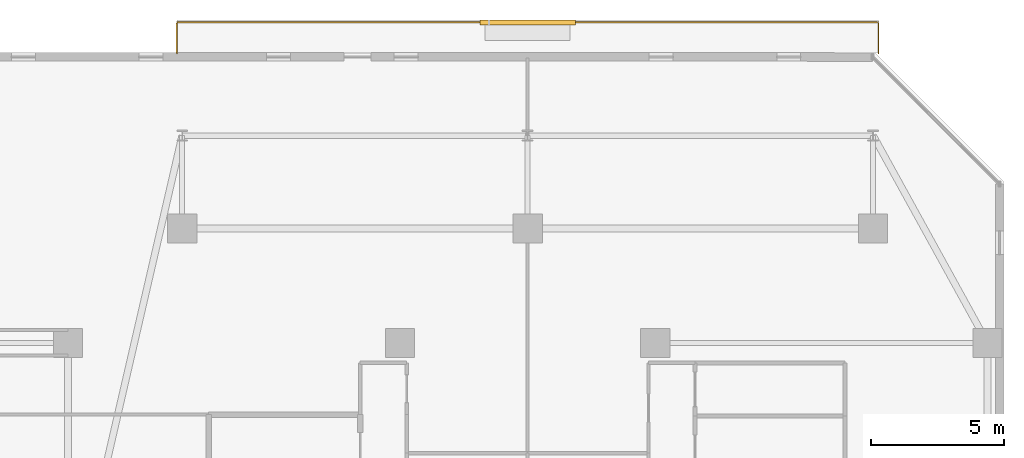
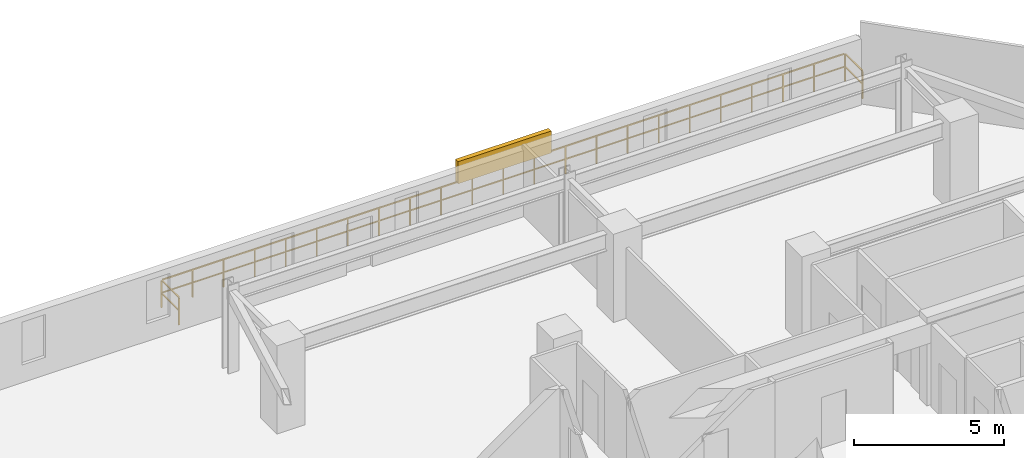
# One storey, part 33 of 33: 1 railing, 1 shading device.
"""IFC4 building model written with IfcOpenShell, lengths in metres."""

import ifcopenshell
import ifcopenshell.guid

model = None  # the IFC model being written
_history = None  # IfcOwnerHistory: only IFC2X3 demands one
_inside = {}  # id of a spatial element -> (the spatial element, [elements in it])
_under = {}  # id of a project, library or spatial element -> (it, [spatial elements below it])
_declared = {}  # id of a project -> (the project, [libraries it declares])
_typed = {}  # id of a type object -> (the type object, [elements of that type])
_made_of = {}  # id of a material, layer set ... -> (it, [elements and type objects made of it])


def new_model(schema):
    """Start an empty IFC model of exactly this schema.

    Asked for "IFC4X3", IfcOpenShell would pick the latest addendum, in which some entities
    have other attributes; the version numbers below select the first issue.
    IFC2X3 requires an IfcOwnerHistory on every rooted entity: one is made here for all.
    """
    global model, _history
    if schema == "IFC4X3":
        model = ifcopenshell.file(schema_version=(4, 3, 0, 0))
    else:
        model = ifcopenshell.file(schema=schema)
    _inside.clear()
    _under.clear()
    _declared.clear()
    _typed.clear()
    _made_of.clear()
    _history = None
    if model.schema == "IFC2X3":
        org = make("IfcOrganization", Name="unknown")
        user = make(
            "IfcPersonAndOrganization",
            ThePerson=make("IfcPerson", FamilyName="unknown"),
            TheOrganization=org,
        )
        app = make(
            "IfcApplication",
            ApplicationDeveloper=org,
            Version="unknown",
            ApplicationFullName="unknown",
            ApplicationIdentifier="unknown",
        )
        _history = make(
            "IfcOwnerHistory",
            OwningUser=user,
            OwningApplication=app,
            ChangeAction="ADDED",
            CreationDate=0,
        )
    return model


def make(cls, **values):
    """One entity of the class cls with the attributes given. An attribute that is None is left unset."""
    return model.create_entity(
        cls, **{name: value for name, value in values.items() if value is not None}
    )


def rooted(cls, **values):
    """An entity with a GlobalId (a new one), such as an element, a storey or a relation."""
    return make(cls, GlobalId=ifcopenshell.guid.new(), OwnerHistory=_history, **values)


def si_unit(unit_type, name, prefix=None):
    """IfcSIUnit, for example si_unit("LENGTHUNIT", "METRE", prefix="MILLI")."""
    return make("IfcSIUnit", UnitType=unit_type, Prefix=prefix, Name=name)


def assignment(units):
    """IfcUnitAssignment: the units of a project."""
    return None if units is None else make("IfcUnitAssignment", Units=units)


def point(xyz):
    """IfcCartesianPoint."""
    return None if xyz is None else make("IfcCartesianPoint", Coordinates=xyz)


def direction(xyz):
    """IfcDirection."""
    return None if xyz is None else make("IfcDirection", DirectionRatios=xyz)


def frame(location, z_axis=None, x_axis=None):
    """IfcAxis2Placement3D, a coordinate frame: its origin and axes. An axis left out is left unset."""
    return make(
        "IfcAxis2Placement3D",
        Location=point(location),
        Axis=direction(z_axis),
        RefDirection=direction(x_axis),
    )


def frame_2d(location, x_axis=None):
    """IfcAxis2Placement2D, a coordinate frame in the plane: its origin and x axis."""
    return make(
        "IfcAxis2Placement2D", Location=point(location), RefDirection=direction(x_axis)
    )


def origin():
    """The frame at (0, 0, 0) with its axes left unset."""
    return frame((0.0, 0.0, 0.0))


def origin_2d():
    """The frame at (0, 0) in the plane with its x axis left unset."""
    return frame_2d((0.0, 0.0))


def place(relative_to, where):
    """IfcLocalPlacement: puts the frame where relative to a parent placement (None: the world)."""
    return make(
        "IfcLocalPlacement", PlacementRelTo=relative_to, RelativePlacement=where
    )


def context(
    kind, dimensions, precision=None, world=None, true_north=None, identifier=None
):
    """IfcGeometricRepresentationContext, for example the 3D "Model" context."""
    return make(
        "IfcGeometricRepresentationContext",
        ContextIdentifier=identifier,
        ContextType=kind,
        CoordinateSpaceDimension=dimensions,
        Precision=precision,
        WorldCoordinateSystem=world,
        TrueNorth=true_north,
    )


def subcontext(parent, identifier, kind, view, scale=None):
    """IfcGeometricRepresentationSubContext, for example "Body" below "Model"."""
    return make(
        "IfcGeometricRepresentationSubContext",
        ContextIdentifier=identifier,
        ContextType=kind,
        ParentContext=parent,
        TargetScale=scale,
        TargetView=view,
    )


def project(units=None, contexts=None):
    """IfcProject with its units and contexts."""
    return rooted(
        "IfcProject",
        Name="project",
        RepresentationContexts=contexts,
        UnitsInContext=assignment(units),
    )


def spatial(cls, under=None, at=None, **own):
    """A site, building, storey or space (cls), placed at a placement, below another one or the project."""
    s = rooted(cls, ObjectPlacement=at, **own)
    if under is not None:
        _under.setdefault(under.id(), (under, []))[1].append(s)
    return s


def profile(cls, at=None, kind="AREA", **sizes):
    """A parametric profile (cls). Its sizes go by their IFC names, for example OverallWidth=200.0."""
    return make(cls, ProfileType=kind, Position=at, **sizes)


def rectangle(**sizes):
    """IfcRectangleProfileDef."""
    return profile("IfcRectangleProfileDef", **sizes)


def extrude(swept, where, along, depth):
    """IfcExtrudedAreaSolid: the profile swept, set in the frame where, extruded along a direction by depth."""
    return make(
        "IfcExtrudedAreaSolid",
        SweptArea=swept,
        Position=where,
        ExtrudedDirection=direction(along),
        Depth=depth,
    )


def shape(context_of_items, identifier, shape_type, items):
    """IfcShapeRepresentation: the items that make up one representation, for example the "Body"."""
    return make(
        "IfcShapeRepresentation",
        ContextOfItems=context_of_items,
        RepresentationIdentifier=identifier,
        RepresentationType=shape_type,
        Items=items,
    )


def material(Name=None, Category=None):
    """IfcMaterial."""
    return make("IfcMaterial", Name=Name, Category=Category)


def made_of(thing, what):
    """Note that an element or type object is made of a material, layer set ...; save() writes the relation."""
    if what is not None:
        _made_of.setdefault(what.id(), (what, []))[1].append(thing)
    return thing


def type_object(cls, material=None, **own):
    """A type object (cls), such as IfcWallType, which elements share."""
    return made_of(rooted(cls, **own), material)


def element(
    cls,
    number,
    at=None,
    inside=None,
    cuts=None,
    type_object=None,
    material=None,
    context=None,
    identifier="Body",
    shape_type=None,
    held_by="IfcProductDefinitionShape",
    body=None,
    shapes=None,
    **own,
):
    """One element of the class cls, such as IfcWall. Its Tag is "e" and its number.

    at: its placement. inside: the storey or other place that contains it. cuts: it is an
    opening in that element (IfcRelVoidsElement). A single representation is given by context,
    identifier, shape_type and body (its items); several are given by shapes. held_by: the class
    of the entity that holds the representations. save() writes the other relations.
    """
    e = rooted(cls, Tag="e%d" % number, ObjectPlacement=at, **own)
    if body is not None:
        shapes = [shape(context, identifier, shape_type, body)]
    if shapes is not None:
        e.Representation = make(held_by, Representations=shapes)
    if inside is not None:
        _inside.setdefault(inside.id(), (inside, []))[1].append(e)
    if cuts is not None:
        rooted(
            "IfcRelVoidsElement", RelatingBuildingElement=cuts, RelatedOpeningElement=e
        )
    if type_object is not None:
        _typed.setdefault(type_object.id(), (type_object, []))[1].append(e)
    return made_of(e, material)


def aggregate(whole, parts):
    """IfcRelAggregates: a whole, such as a stair, and the parts it consists of."""
    return rooted("IfcRelAggregates", RelatingObject=whole, RelatedObjects=parts)


def save(model, path):
    """Write the relations noted so far, then the file.

    IfcRelAggregates (storeys below a building ...), IfcRelContainedInSpatialStructure (elements
    in a storey), IfcRelDefinesByType, IfcRelAssociatesMaterial and IfcRelDeclares: one each for
    every whole, place, type object, material and project.
    """
    for whole, parts in _under.values():
        aggregate(whole, parts)
    for where, things in _inside.values():
        rooted(
            "IfcRelContainedInSpatialStructure",
            RelatedElements=things,
            RelatingStructure=where,
        )
    for kind, things in _typed.values():
        rooted("IfcRelDefinesByType", RelatedObjects=things, RelatingType=kind)
    for what, things in _made_of.values():
        rooted("IfcRelAssociatesMaterial", RelatedObjects=things, RelatingMaterial=what)
    for by, libraries in _declared.values():
        rooted("IfcRelDeclares", RelatingContext=by, RelatedDefinitions=libraries)
    model.write(path)


model = new_model("IFC4")

# Units and contexts
model_context = context("Model", 3, precision=1e-05, world=origin(), true_north=direction((0.0, 1.0)))
body_context = subcontext(model_context, "Body", "Model", "MODEL_VIEW")
ifc_project = project(units=[si_unit("LENGTHUNIT", "METRE"), si_unit("AREAUNIT", "SQUARE_METRE"), si_unit("VOLUMEUNIT", "CUBIC_METRE"), si_unit("PLANEANGLEUNIT", "RADIAN"), si_unit("MASSUNIT", "GRAM", prefix="KILO")], contexts=[model_context])

# Site, building, storey
site_placement = place(None, origin())
site = spatial("IfcSite", under=ifc_project, at=site_placement, CompositionType="ELEMENT")
building_placement = place(site_placement, origin())
building = spatial("IfcBuilding", under=site, at=building_placement, Name="Thornwick Lancets Civic Towers", CompositionType="ELEMENT")
storey_placement = place(building_placement, frame((0.0, 0.0, 192.89990234375)))
storey = spatial("IfcBuildingStorey", under=building, at=storey_placement, Name="L51", CompositionType="ELEMENT", Elevation=192.89990234375)

# Railing
ifc_material_1 = material(Name="Terracotta-capped laminated glass balustrade S355", Category="masonry")
railing_type = type_object("IfcRailingType", Name="RAIL_TERR_GUARD", PredefinedType="GUARDRAIL", material=ifc_material_1)
railing_placement = place(storey_placement, frame((75.300048828125, 50.89990234375, 0.0)))
element("IfcRailing", 1, at=railing_placement, inside=storey, type_object=railing_type, Name="L51 Tower B Balcony Guard N", PredefinedType="GUARDRAIL", context=body_context, shape_type="SweptSolid", body=[
    extrude(rectangle(XDim=0.048095703125, YDim=0.048095703125, at=origin_2d()), frame((0.0, 0.0, 1.1259765625), z_axis=(0.0, 1.0, 0.0), x_axis=(-1.0, 0.0, 0.0)), (0.0, 0.0, 1.0), 1.138916015625),
    extrude(rectangle(XDim=0.0419921875, YDim=0.0419921875, at=origin_2d()), frame((0.0, 0.03759765625, 0.597900390625), z_axis=(0.0, 1.0, 0.0), x_axis=(-1.0, 0.0, 0.0)), (0.0, 0.0, 1.0), 1.09521484375),
    extrude(rectangle(XDim=0.048095703125, YDim=0.048095703125, at=origin_2d()), frame((0.03125, 1.170166015625, 1.1259765625), z_axis=(1.0, 0.0, 0.0), x_axis=(0.0, 1.0, 0.0)), (0.0, 0.0, 1.0), 26.33740234375),
    extrude(rectangle(XDim=0.0419921875, YDim=0.0419921875, at=origin_2d()), frame((0.03759765625, 1.170166015625, 0.597900390625), z_axis=(1.0, 0.0, 0.0), x_axis=(0.0, 1.0, 0.0)), (0.0, 0.0, 1.0), 1.125),
    extrude(rectangle(XDim=0.0419921875, YDim=0.0419921875, at=origin_2d()), frame((1.237548828125, 1.170166015625, 0.597900390625), z_axis=(1.0, 0.0, 0.0), x_axis=(0.0, 1.0, 0.0)), (0.0, 0.0, 1.0), 1.125),
    extrude(rectangle(XDim=0.0419921875, YDim=0.0419921875, at=origin_2d()), frame((2.4375, 1.170166015625, 0.597900390625), z_axis=(1.0, 0.0, 0.0), x_axis=(0.0, 1.0, 0.0)), (0.0, 0.0, 1.0), 1.125),
    extrude(rectangle(XDim=0.0419921875, YDim=0.0419921875, at=origin_2d()), frame((3.637451171875, 1.170166015625, 0.597900390625), z_axis=(1.0, 0.0, 0.0), x_axis=(0.0, 1.0, 0.0)), (0.0, 0.0, 1.0), 1.125),
    extrude(rectangle(XDim=0.0419921875, YDim=0.0419921875, at=origin_2d()), frame((4.83740234375, 1.170166015625, 0.597900390625), z_axis=(1.0, 0.0, 0.0), x_axis=(0.0, 1.0, 0.0)), (0.0, 0.0, 1.0), 1.125),
    extrude(rectangle(XDim=0.0419921875, YDim=0.0419921875, at=origin_2d()), frame((6.037353515625, 1.170166015625, 0.597900390625), z_axis=(1.0, 0.0, 0.0), x_axis=(0.0, 1.0, 0.0)), (0.0, 0.0, 1.0), 1.125),
    extrude(rectangle(XDim=0.0419921875, YDim=0.0419921875, at=origin_2d()), frame((7.237548828125, 1.170166015625, 0.597900390625), z_axis=(1.0, 0.0, 0.0), x_axis=(0.0, 1.0, 0.0)), (0.0, 0.0, 1.0), 1.125),
    extrude(rectangle(XDim=0.0419921875, YDim=0.0419921875, at=origin_2d()), frame((8.4375, 1.170166015625, 0.597900390625), z_axis=(1.0, 0.0, 0.0), x_axis=(0.0, 1.0, 0.0)), (0.0, 0.0, 1.0), 1.125),
    extrude(rectangle(XDim=0.0419921875, YDim=0.0419921875, at=origin_2d()), frame((9.637451171875, 1.170166015625, 0.597900390625), z_axis=(1.0, 0.0, 0.0), x_axis=(0.0, 1.0, 0.0)), (0.0, 0.0, 1.0), 1.125),
    extrude(rectangle(XDim=0.0419921875, YDim=0.0419921875, at=origin_2d()), frame((10.83740234375, 1.170166015625, 0.597900390625), z_axis=(1.0, 0.0, 0.0), x_axis=(0.0, 1.0, 0.0)), (0.0, 0.0, 1.0), 1.125),
    extrude(rectangle(XDim=0.0419921875, YDim=0.0419921875, at=origin_2d()), frame((12.037353515625, 1.170166015625, 0.597900390625), z_axis=(1.0, 0.0, 0.0), x_axis=(0.0, 1.0, 0.0)), (0.0, 0.0, 1.0), 1.125),
    extrude(rectangle(XDim=0.0419921875, YDim=0.0419921875, at=origin_2d()), frame((13.237548828125, 1.170166015625, 0.597900390625), z_axis=(1.0, 0.0, 0.0), x_axis=(0.0, 1.0, 0.0)), (0.0, 0.0, 1.0), 1.125),
    extrude(rectangle(XDim=0.0419921875, YDim=0.0419921875, at=origin_2d()), frame((14.4375, 1.170166015625, 0.597900390625), z_axis=(1.0, 0.0, 0.0), x_axis=(0.0, 1.0, 0.0)), (0.0, 0.0, 1.0), 1.125),
    extrude(rectangle(XDim=0.0419921875, YDim=0.0419921875, at=origin_2d()), frame((15.637451171875, 1.170166015625, 0.597900390625), z_axis=(1.0, 0.0, 0.0), x_axis=(0.0, 1.0, 0.0)), (0.0, 0.0, 1.0), 1.125),
    extrude(rectangle(XDim=0.0419921875, YDim=0.0419921875, at=origin_2d()), frame((16.83740234375, 1.170166015625, 0.597900390625), z_axis=(1.0, 0.0, 0.0), x_axis=(0.0, 1.0, 0.0)), (0.0, 0.0, 1.0), 1.125),
    extrude(rectangle(XDim=0.0419921875, YDim=0.0419921875, at=origin_2d()), frame((18.037353515625, 1.170166015625, 0.597900390625), z_axis=(1.0, 0.0, 0.0), x_axis=(0.0, 1.0, 0.0)), (0.0, 0.0, 1.0), 1.125),
    extrude(rectangle(XDim=0.0419921875, YDim=0.0419921875, at=origin_2d()), frame((19.2373046875, 1.170166015625, 0.597900390625), z_axis=(1.0, 0.0, 0.0), x_axis=(0.0, 1.0, 0.0)), (0.0, 0.0, 1.0), 1.125),
    extrude(rectangle(XDim=0.0419921875, YDim=0.0419921875, at=origin_2d()), frame((20.4375, 1.170166015625, 0.597900390625), z_axis=(1.0, 0.0, 0.0), x_axis=(0.0, 1.0, 0.0)), (0.0, 0.0, 1.0), 1.125),
    extrude(rectangle(XDim=0.0419921875, YDim=0.0419921875, at=origin_2d()), frame((21.637451171875, 1.170166015625, 0.597900390625), z_axis=(1.0, 0.0, 0.0), x_axis=(0.0, 1.0, 0.0)), (0.0, 0.0, 1.0), 1.125),
    extrude(rectangle(XDim=0.0419921875, YDim=0.0419921875, at=origin_2d()), frame((22.83740234375, 1.170166015625, 0.597900390625), z_axis=(1.0, 0.0, 0.0), x_axis=(0.0, 1.0, 0.0)), (0.0, 0.0, 1.0), 1.125),
    extrude(rectangle(XDim=0.0419921875, YDim=0.0419921875, at=origin_2d()), frame((24.037353515625, 1.170166015625, 0.597900390625), z_axis=(1.0, 0.0, 0.0), x_axis=(0.0, 1.0, 0.0)), (0.0, 0.0, 1.0), 1.125),
    extrude(rectangle(XDim=0.0419921875, YDim=0.0419921875, at=origin_2d()), frame((25.2373046875, 1.170166015625, 0.597900390625), z_axis=(1.0, 0.0, 0.0), x_axis=(0.0, 1.0, 0.0)), (0.0, 0.0, 1.0), 1.125),
    extrude(rectangle(XDim=0.048095703125, YDim=0.048095703125, at=origin_2d()), frame((26.39990234375, 1.138916015625, 1.1259765625), z_axis=(0.0, -1.0, 0.0), x_axis=(1.0, 0.0, 0.0)), (0.0, 0.0, 1.0), 1.138916015625),
    extrude(rectangle(XDim=0.0419921875, YDim=0.0419921875, at=origin_2d()), frame((26.39990234375, 1.132568359375, 0.597900390625), z_axis=(0.0, -1.0, 0.0), x_axis=(1.0, 0.0, 0.0)), (0.0, 0.0, 1.0), 1.09521484375),
    extrude(rectangle(XDim=0.0419921875, YDim=0.0419921875, at=origin_2d()), origin(), (0.0, 0.0, 1.0), 1.095703125),
    extrude(rectangle(XDim=0.0419921875, YDim=0.0419921875, at=origin_2d()), frame((0.0, 1.170166015625, 0.0)), (0.0, 0.0, 1.0), 1.095703125),
    extrude(rectangle(XDim=0.0419921875, YDim=0.0419921875, at=origin_2d()), frame((1.199951171875, 1.170166015625, 0.0)), (0.0, 0.0, 1.0), 1.095703125),
    extrude(rectangle(XDim=0.0419921875, YDim=0.0419921875, at=origin_2d()), frame((2.39990234375, 1.170166015625, 0.0)), (0.0, 0.0, 1.0), 1.095703125),
    extrude(rectangle(XDim=0.0419921875, YDim=0.0419921875, at=origin_2d()), frame((3.60009765625, 1.170166015625, 0.0)), (0.0, 0.0, 1.0), 1.095703125),
    extrude(rectangle(XDim=0.0419921875, YDim=0.0419921875, at=origin_2d()), frame((4.800048828125, 1.170166015625, 0.0)), (0.0, 0.0, 1.0), 1.095703125),
    extrude(rectangle(XDim=0.0419921875, YDim=0.0419921875, at=origin_2d()), frame((6.0, 1.170166015625, 0.0)), (0.0, 0.0, 1.0), 1.095703125),
    extrude(rectangle(XDim=0.0419921875, YDim=0.0419921875, at=origin_2d()), frame((7.199951171875, 1.170166015625, 0.0)), (0.0, 0.0, 1.0), 1.095703125),
    extrude(rectangle(XDim=0.0419921875, YDim=0.0419921875, at=origin_2d()), frame((8.39990234375, 1.170166015625, 0.0)), (0.0, 0.0, 1.0), 1.095703125),
    extrude(rectangle(XDim=0.0419921875, YDim=0.0419921875, at=origin_2d()), frame((9.599853515625, 1.170166015625, 0.0)), (0.0, 0.0, 1.0), 1.095703125),
    extrude(rectangle(XDim=0.0419921875, YDim=0.0419921875, at=origin_2d()), frame((10.800048828125, 1.170166015625, 0.0)), (0.0, 0.0, 1.0), 1.095703125),
    extrude(rectangle(XDim=0.0419921875, YDim=0.0419921875, at=origin_2d()), frame((12.0, 1.170166015625, 0.0)), (0.0, 0.0, 1.0), 1.095703125),
    extrude(rectangle(XDim=0.0419921875, YDim=0.0419921875, at=origin_2d()), frame((13.199951171875, 1.170166015625, 0.0)), (0.0, 0.0, 1.0), 1.095703125),
    extrude(rectangle(XDim=0.0419921875, YDim=0.0419921875, at=origin_2d()), frame((14.39990234375, 1.170166015625, 0.0)), (0.0, 0.0, 1.0), 1.095703125),
    extrude(rectangle(XDim=0.0419921875, YDim=0.0419921875, at=origin_2d()), frame((15.599853515625, 1.170166015625, 0.0)), (0.0, 0.0, 1.0), 1.095703125),
    extrude(rectangle(XDim=0.0419921875, YDim=0.0419921875, at=origin_2d()), frame((16.800048828125, 1.170166015625, 0.0)), (0.0, 0.0, 1.0), 1.095703125),
    extrude(rectangle(XDim=0.0419921875, YDim=0.0419921875, at=origin_2d()), frame((18.0, 1.170166015625, 0.0)), (0.0, 0.0, 1.0), 1.095703125),
    extrude(rectangle(XDim=0.0419921875, YDim=0.0419921875, at=origin_2d()), frame((19.199951171875, 1.170166015625, 0.0)), (0.0, 0.0, 1.0), 1.095703125),
    extrude(rectangle(XDim=0.0419921875, YDim=0.0419921875, at=origin_2d()), frame((20.39990234375, 1.170166015625, 0.0)), (0.0, 0.0, 1.0), 1.095703125),
    extrude(rectangle(XDim=0.0419921875, YDim=0.0419921875, at=origin_2d()), frame((21.599853515625, 1.170166015625, 0.0)), (0.0, 0.0, 1.0), 1.095703125),
    extrude(rectangle(XDim=0.0419921875, YDim=0.0419921875, at=origin_2d()), frame((22.7998046875, 1.170166015625, 0.0)), (0.0, 0.0, 1.0), 1.095703125),
    extrude(rectangle(XDim=0.0419921875, YDim=0.0419921875, at=origin_2d()), frame((24.0, 1.170166015625, 0.0)), (0.0, 0.0, 1.0), 1.095703125),
    extrude(rectangle(XDim=0.0419921875, YDim=0.0419921875, at=origin_2d()), frame((25.199951171875, 1.170166015625, 0.0)), (0.0, 0.0, 1.0), 1.095703125),
    extrude(rectangle(XDim=0.0419921875, YDim=0.0419921875, at=origin_2d()), frame((26.39990234375, 1.170166015625, 0.0)), (0.0, 0.0, 1.0), 1.095703125),
    extrude(rectangle(XDim=0.0419921875, YDim=0.0419921875, at=origin_2d()), frame((26.39990234375, 0.0, 0.0)), (0.0, 0.0, 1.0), 1.095703125),
])

# Shading device
ifc_material_2 = material(Name="Extruded terracotta baguette solar screen", Category="masonry")
shading_device_type = type_object("IfcShadingDeviceType", Name="SHADE_BAGUETTE", PredefinedType="JALOUSIE", material=ifc_material_2)
shading_device_placement = place(storey_placement, frame((88.5, 52.06005859375, 1.1201171875), z_axis=(0.0, 0.0, 1.0), x_axis=(1.0, 0.0, 0.0)))
element("IfcShadingDevice", 2, at=shading_device_placement, inside=storey, type_object=shading_device_type, Name="L51 Tower B Terracotta Baguette Screen N", PredefinedType="JALOUSIE", context=body_context, shape_type="SweptSolid", body=[
    extrude(rectangle(XDim=3.60009765625, YDim=0.179931640625, at=origin_2d()), origin(), (0.0, 0.0, 1.0), 0.89990234375),
])

save(model, "model.ifc")
